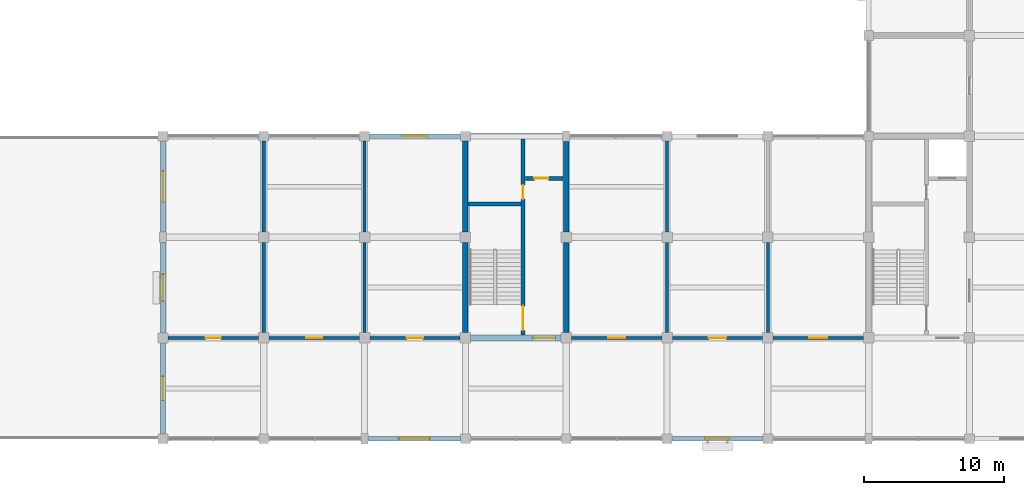
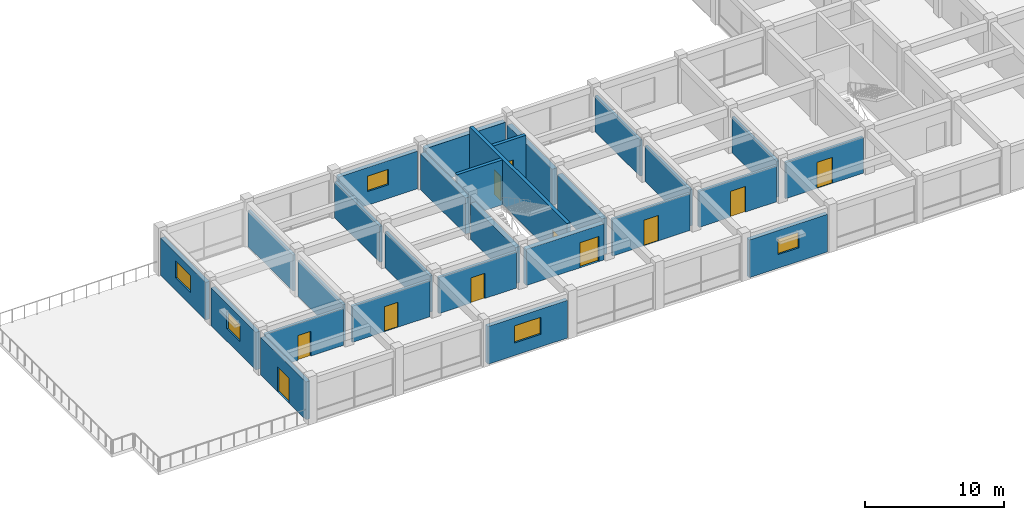
# One storey, part 19 of 31: 28 walls, 11 doors, 5 windows, 16 openings.
"""IFC4 building model written with IfcOpenShell, lengths in metres."""

from ifc_helpers import new_model, si_unit, direction, frame, frame_2d, origin, place, context, subcontext, project, spatial, rectangle, extrude, material, layer, layer_set, type_object, element, fill, save


model = new_model("IFC4")

# Units and contexts
model_context = context("Model", 3, precision=1e-05, world=origin(), true_north=direction((0.0, 1.0)))
body_context = subcontext(model_context, "Body", "Model", "MODEL_VIEW")
ifc_project = project(units=[si_unit("LENGTHUNIT", "METRE"), si_unit("AREAUNIT", "SQUARE_METRE"), si_unit("VOLUMEUNIT", "CUBIC_METRE"), si_unit("PLANEANGLEUNIT", "RADIAN"), si_unit("MASSUNIT", "GRAM", prefix="KILO")], contexts=[model_context])

# Site, building, storey
site_placement = place(None, origin())
site = spatial("IfcSite", under=ifc_project, at=site_placement, CompositionType="ELEMENT")
building_placement = place(site_placement, origin())
building = spatial("IfcBuilding", under=site, at=building_placement, Name="Cendaluz Park School", CompositionType="ELEMENT")
storey_placement = place(building_placement, frame((0.0, 0.0, 14.39990234375)))
storey = spatial("IfcBuildingStorey", under=building, at=storey_placement, Name="L03", CompositionType="ELEMENT", Elevation=14.39990234375)

# Wall, opening, door
ifc_material_1 = material(Name="Gypsum Plasterboard on Cold-Formed Stud", Category="gypsum")
ifc_layer_1 = layer(ifc_material_1, 0.199951171875)
ifc_layer_set_1 = layer_set([ifc_layer_1], Name="Gypsum Plasterboard on Cold-Formed Stud")
wall_type_1 = type_object("IfcWallType", Name="W-AC20", PredefinedType="PARTITIONING", material=ifc_layer_set_1)
wall_1_placement = place(storey_placement, frame((43.574951171875, 14.39990234375, 0.0), z_axis=(0.0, 0.0, 1.0), x_axis=(1.0, 0.0, 0.0)))
wall_1 = element("IfcWall", 1, at=wall_1_placement, inside=storey, type_object=wall_type_1, Name="WL-FD-BM3", PredefinedType="PARTITIONING", context=body_context, shape_type="SweptSolid", body=[
    extrude(rectangle(XDim=6.449951171875, YDim=0.199951171875, at=frame_2d((3.22509765625, 0.0))), origin(), (0.0, 0.0, 1.0), 3.239990234375),
])
opening_1_placement = place(wall_1_placement, frame((2.625, 0.0, 0.0)))
opening_1 = element("IfcOpeningElement", 2, at=opening_1_placement, cuts=wall_1, Name="Opening DCL-08", PredefinedType="OPENING", context=body_context, shape_type="SweptSolid", body=[
    extrude(rectangle(XDim=1.199951171875, YDim=2.239990234375, at=frame_2d((0.60009765625, 1.1201171875))), frame((0.0, 0.112060546875, 0.0), z_axis=(0.0, -1.0, 0.0), x_axis=(1.0, 0.0, 0.0)), (0.0, 0.0, 1.0), 0.223876953125),
])
ifc_material_2 = material(Name="Solid Core Hardwood", Category="wood")
door_type_1 = type_object("IfcDoorType", Name="DCL-08", OperationType="NOTDEFINED", PredefinedType="DOOR", material=ifc_material_2)
door_1_placement = place(opening_1_placement, origin())
door_1 = element("IfcDoor", 3, at=door_1_placement, inside=storey, type_object=door_type_1, Name="D-L03-032", OperationType="SINGLE_SWING_RIGHT", OverallHeight=2.239990234375, OverallWidth=1.199951171875, PredefinedType="DOOR", context=body_context, shape_type="SweptSolid", body=[
    extrude(rectangle(XDim=1.199951171875, YDim=2.239990234375, at=frame_2d((0.60009765625, 1.1201171875))), frame((0.0, 0.02490234375, 0.0), z_axis=(0.0, -1.0, 0.0), x_axis=(1.0, 0.0, 0.0)), (0.0, 0.0, 1.0), 0.050048828125),
])
fill(opening_1, door_1)

# Walls
wall_2_placement = place(storey_placement, frame((50.39990234375, 14.77490234375, 0.0), z_axis=(0.0, 0.0, 1.0), x_axis=(0.0, 1.0, 0.0)))
element("IfcWall", 4, at=wall_2_placement, inside=storey, type_object=wall_type_1, Name="WL-FD-BM4", PredefinedType="PARTITIONING", context=body_context, shape_type="SweptSolid", body=[
    extrude(rectangle(XDim=6.4501953125, YDim=0.199951171875, at=frame_2d((3.22509765625, 0.0))), origin(), (0.0, 0.0, 1.0), 3.170166015625),
])
wall_3_placement = place(storey_placement, frame((50.39990234375, 21.97509765625, 0.0), z_axis=(0.0, 0.0, 1.0), x_axis=(0.0, 1.0, 0.0)))
element("IfcWall", 5, at=wall_3_placement, inside=storey, type_object=wall_type_1, Name="WL-FD-BM5", PredefinedType="PARTITIONING", context=body_context, shape_type="SweptSolid", body=[
    extrude(rectangle(XDim=6.474853515625, YDim=0.199951171875, at=frame_2d((3.2373046875, 0.0))), origin(), (0.0, 0.0, 1.0), 3.170166015625),
])

# Wall, opening, door
wall_4_placement = place(storey_placement, frame((50.77490234375, 14.39990234375, 0.0), z_axis=(0.0, 0.0, 1.0), x_axis=(1.0, 0.0, 0.0)))
wall_4 = element("IfcWall", 6, at=wall_4_placement, inside=storey, type_object=wall_type_1, Name="WL-FD-BM6", PredefinedType="PARTITIONING", context=body_context, shape_type="SweptSolid", body=[
    extrude(rectangle(XDim=6.4501953125, YDim=0.199951171875, at=frame_2d((3.22509765625, 0.0))), origin(), (0.0, 0.0, 1.0), 3.170166015625),
])
opening_2_placement = place(wall_4_placement, frame((2.60498046875, 0.0, 0.0)))
opening_2 = element("IfcOpeningElement", 7, at=opening_2_placement, cuts=wall_4, Name="Opening DCL-09", PredefinedType="OPENING", context=body_context, shape_type="SweptSolid", body=[
    extrude(rectangle(XDim=1.239990234375, YDim=2.260009765625, at=frame_2d((0.6201171875, 1.1298828125))), frame((0.0, 0.112060546875, 0.0), z_axis=(0.0, -1.0, 0.0), x_axis=(1.0, 0.0, 0.0)), (0.0, 0.0, 1.0), 0.223876953125),
])
door_type_2 = type_object("IfcDoorType", Name="DCL-09", OperationType="NOTDEFINED", PredefinedType="DOOR", material=ifc_material_2)
door_2_placement = place(opening_2_placement, origin())
door_2 = element("IfcDoor", 8, at=door_2_placement, inside=storey, type_object=door_type_2, Name="D-L03-033", OperationType="SINGLE_SWING_LEFT", OverallHeight=2.260009765625, OverallWidth=1.239990234375, PredefinedType="DOOR", context=body_context, shape_type="SweptSolid", body=[
    extrude(rectangle(XDim=1.239990234375, YDim=2.260009765625, at=frame_2d((0.6201171875, 1.1298828125))), frame((0.0, 0.02490234375, 0.0), z_axis=(0.0, -1.0, 0.0), x_axis=(1.0, 0.0, 0.0)), (0.0, 0.0, 1.0), 0.050048828125),
])
fill(opening_2, door_2)

# Wall
wall_5_placement = place(storey_placement, frame((57.60009765625, 14.77490234375, 0.0), z_axis=(0.0, 0.0, 1.0), x_axis=(0.0, 1.0, 0.0)))
element("IfcWall", 9, at=wall_5_placement, inside=storey, type_object=wall_type_1, Name="WL-FD-BM7", PredefinedType="PARTITIONING", context=body_context, shape_type="SweptSolid", body=[
    extrude(rectangle(XDim=6.4501953125, YDim=0.199951171875, at=frame_2d((3.22509765625, 0.0))), origin(), (0.0, 0.0, 1.0), 3.170166015625),
])

# Wall, opening, door
wall_6_placement = place(storey_placement, frame((57.97509765625, 14.39990234375, 0.0), z_axis=(0.0, 0.0, 1.0), x_axis=(1.0, 0.0, 0.0)))
wall_6 = element("IfcWall", 10, at=wall_6_placement, inside=storey, type_object=wall_type_1, Name="WL-FD-BM9", PredefinedType="PARTITIONING", context=body_context, shape_type="SweptSolid", body=[
    extrude(rectangle(XDim=6.449951171875, YDim=0.199951171875, at=frame_2d((3.22509765625, 0.0))), origin(), (0.0, 0.0, 1.0), 3.170166015625),
])
opening_3_placement = place(wall_6_placement, frame((2.5849609375, 0.0, 0.0)))
opening_3 = element("IfcOpeningElement", 11, at=opening_3_placement, cuts=wall_6, Name="Opening DCL-10", PredefinedType="OPENING", context=body_context, shape_type="SweptSolid", body=[
    extrude(rectangle(XDim=1.280029296875, YDim=2.280029296875, at=frame_2d((0.64013671875, 1.14013671875))), frame((0.0, 0.112060546875, 0.0), z_axis=(0.0, -1.0, 0.0), x_axis=(1.0, 0.0, 0.0)), (0.0, 0.0, 1.0), 0.223876953125),
])
door_type_3 = type_object("IfcDoorType", Name="DCL-10", OperationType="NOTDEFINED", PredefinedType="DOOR", material=ifc_material_2)
door_3_placement = place(opening_3_placement, origin())
door_3 = element("IfcDoor", 12, at=door_3_placement, inside=storey, type_object=door_type_3, Name="D-L03-034", OperationType="SINGLE_SWING_RIGHT", OverallHeight=2.280029296875, OverallWidth=1.280029296875, PredefinedType="DOOR", context=body_context, shape_type="SweptSolid", body=[
    extrude(rectangle(XDim=1.280029296875, YDim=2.280029296875, at=frame_2d((0.64013671875, 1.14013671875))), frame((0.0, 0.02490234375, 0.0), z_axis=(0.0, -1.0, 0.0), x_axis=(1.0, 0.0, 0.0)), (0.0, 0.0, 1.0), 0.050048828125),
])
fill(opening_3, door_3)

ifc_material_3 = material(Name="Concrete C40/50 precast", Category="concrete")
ifc_layer_2 = layer(ifc_material_3, 0.340087890625)
ifc_layer_set_2 = layer_set([ifc_layer_2], Name="Concrete C40/50 precast")
wall_type_2 = type_object("IfcWallType", Name="W-EX34", PredefinedType="SOLIDWALL", material=ifc_layer_set_2)
wall_7_placement = place(storey_placement, frame((14.39990234375, 7.550048828125, 0.0), z_axis=(0.0, 0.0, 1.0), x_axis=(0.0, 1.0, 0.0)))
wall_7 = element("IfcWall", 13, at=wall_7_placement, inside=storey, type_object=wall_type_2, Name="WL-FD-AA0", PredefinedType="SOLIDWALL", context=body_context, shape_type="SweptSolid", body=[
    extrude(rectangle(XDim=6.5, YDim=0.340087890625, at=frame_2d((3.25, 0.0))), origin(), (0.0, 0.0, 1.0), 3.31005859375),
])
opening_4_placement = place(wall_7_placement, frame((2.39990234375, 0.0, 0.0)))
opening_4 = element("IfcOpeningElement", 14, at=opening_4_placement, cuts=wall_7, Name="Opening DPD-04", PredefinedType="OPENING", context=body_context, shape_type="SweptSolid", body=[
    extrude(rectangle(XDim=1.699951171875, YDim=2.199951171875, at=frame_2d((0.85009765625, 1.10009765625))), frame((0.0, 0.18212890625, 0.0), z_axis=(0.0, -1.0, 0.0), x_axis=(1.0, 0.0, 0.0)), (0.0, 0.0, 1.0), 0.364013671875),
])
ifc_material_4 = material(Name="Architectural Bronze")
door_type_4 = type_object("IfcDoorType", Name="DPD-04", OperationType="DOUBLE_DOOR_SINGLE_SWING", PredefinedType="DOOR", material=ifc_material_4)
door_4_placement = place(opening_4_placement, origin())
door_4 = element("IfcDoor", 15, at=door_4_placement, inside=storey, type_object=door_type_4, Name="D-L03-001", OperationType="DOUBLE_DOOR_SINGLE_SWING", OverallHeight=2.199951171875, OverallWidth=1.699951171875, PredefinedType="DOOR", context=body_context, shape_type="SweptSolid", body=[
    extrude(rectangle(XDim=1.699951171875, YDim=2.199951171875, at=frame_2d((0.85009765625, 1.10009765625))), frame((0.0, 0.02490234375, 0.0), z_axis=(0.0, -1.0, 0.0), x_axis=(1.0, 0.0, 0.0)), (0.0, 0.0, 1.0), 0.050048828125),
])
fill(opening_4, door_4)

# Wall, opening, window
wall_8_placement = place(storey_placement, frame((14.39990234375, 14.75, 0.0), z_axis=(0.0, 0.0, 1.0), x_axis=(0.0, 1.0, 0.0)))
wall_8 = element("IfcWall", 16, at=wall_8_placement, inside=storey, type_object=wall_type_2, Name="WL-FD-AA1", PredefinedType="SOLIDWALL", context=body_context, shape_type="SweptSolid", body=[
    extrude(rectangle(XDim=6.47509765625, YDim=0.340087890625, at=frame_2d((3.237548828125, 0.0))), origin(), (0.0, 0.0, 1.0), 3.31005859375),
])
opening_5_placement = place(wall_8_placement, frame((2.28759765625, 0.0, 1.10009765625)))
opening_5 = element("IfcOpeningElement", 17, at=opening_5_placement, cuts=wall_8, Name="Opening WN-17", PredefinedType="OPENING", context=body_context, shape_type="SweptSolid", body=[
    extrude(rectangle(XDim=1.89990234375, YDim=1.5, at=frame_2d((0.949951171875, 0.75))), frame((0.0, 0.18212890625, 0.0), z_axis=(0.0, -1.0, 0.0), x_axis=(1.0, 0.0, 0.0)), (0.0, 0.0, 1.0), 0.364013671875),
])
ifc_material_5 = material(Name="Tempered Low-E Double Glazing", Category="glass")
window_type_1 = type_object("IfcWindowType", Name="WN-17", PartitioningType="SINGLE_PANEL", PredefinedType="WINDOW", material=ifc_material_5)
window_1_placement = place(opening_5_placement, origin())
window_1 = element("IfcWindow", 18, at=window_1_placement, inside=storey, type_object=window_type_1, Name="WN-L03-001", OverallHeight=1.5, OverallWidth=1.89990234375, PartitioningType="SINGLE_PANEL", PredefinedType="WINDOW", context=body_context, shape_type="SweptSolid", body=[
    extrude(rectangle(XDim=1.89990234375, YDim=1.5, at=frame_2d((0.949951171875, 0.75))), frame((0.0, 0.030029296875, 0.0), z_axis=(0.0, -1.0, 0.0), x_axis=(1.0, 0.0, 0.0)), (0.0, 0.0, 1.0), 0.06005859375),
])
fill(opening_5, window_1)

wall_9_placement = place(storey_placement, frame((14.39990234375, 21.97509765625, 0.0), z_axis=(0.0, 0.0, 1.0), x_axis=(0.0, 1.0, 0.0)))
wall_9 = element("IfcWall", 19, at=wall_9_placement, inside=storey, type_object=wall_type_2, Name="WL-FD-AA2", PredefinedType="SOLIDWALL", context=body_context, shape_type="SweptSolid", body=[
    extrude(rectangle(XDim=6.474853515625, YDim=0.340087890625, at=frame_2d((3.2373046875, 0.0))), origin(), (0.0, 0.0, 1.0), 3.31005859375),
])
opening_6_placement = place(wall_9_placement, frame((2.137451171875, 0.0, 1.10009765625)))
opening_6 = element("IfcOpeningElement", 20, at=opening_6_placement, cuts=wall_9, Name="Opening WN-18", PredefinedType="OPENING", context=body_context, shape_type="SweptSolid", body=[
    extrude(rectangle(XDim=2.199951171875, YDim=1.5, at=frame_2d((1.10009765625, 0.75))), frame((0.0, 0.18212890625, 0.0), z_axis=(0.0, -1.0, 0.0), x_axis=(1.0, 0.0, 0.0)), (0.0, 0.0, 1.0), 0.364013671875),
])
window_type_2 = type_object("IfcWindowType", Name="WN-18", PartitioningType="SINGLE_PANEL", PredefinedType="WINDOW", material=ifc_material_5)
window_2_placement = place(opening_6_placement, origin())
window_2 = element("IfcWindow", 21, at=window_2_placement, inside=storey, type_object=window_type_2, Name="WN-L03-002", OverallHeight=1.5, OverallWidth=2.199951171875, PartitioningType="SINGLE_PANEL", PredefinedType="WINDOW", context=body_context, shape_type="SweptSolid", body=[
    extrude(rectangle(XDim=2.199951171875, YDim=1.5, at=frame_2d((1.10009765625, 0.75))), frame((0.0, 0.030029296875, 0.0), z_axis=(0.0, -1.0, 0.0), x_axis=(1.0, 0.0, 0.0)), (0.0, 0.0, 1.0), 0.06005859375),
])
fill(opening_6, window_2)

wall_10_placement = place(storey_placement, frame((29.050048828125, 7.199951171875, 0.0), z_axis=(0.0, 0.0, 1.0), x_axis=(1.0, 0.0, 0.0)))
wall_10 = element("IfcWall", 22, at=wall_10_placement, inside=storey, type_object=wall_type_2, Name="WL-FD-AA3", PredefinedType="SOLIDWALL", context=body_context, shape_type="SweptSolid", body=[
    extrude(rectangle(XDim=6.599853515625, YDim=0.340087890625, at=frame_2d((3.2998046875, 0.0))), origin(), (0.0, 0.0, 1.0), 3.31005859375),
])
opening_7_placement = place(wall_10_placement, frame((2.199951171875, 0.0, 1.10009765625)))
opening_7 = element("IfcOpeningElement", 23, at=opening_7_placement, cuts=wall_10, Name="Opening WN-18", PredefinedType="OPENING", context=body_context, shape_type="SweptSolid", body=[
    extrude(rectangle(XDim=2.199951171875, YDim=1.5, at=frame_2d((1.10009765625, 0.75))), frame((0.0, 0.18212890625, 0.0), z_axis=(0.0, -1.0, 0.0), x_axis=(1.0, 0.0, 0.0)), (0.0, 0.0, 1.0), 0.364013671875),
])
window_3_placement = place(opening_7_placement, origin())
window_3 = element("IfcWindow", 24, at=window_3_placement, inside=storey, type_object=window_type_2, Name="WN-L03-003", OverallHeight=1.5, OverallWidth=2.199951171875, PartitioningType="SINGLE_PANEL", PredefinedType="WINDOW", context=body_context, shape_type="SweptSolid", body=[
    extrude(rectangle(XDim=2.199951171875, YDim=1.5, at=frame_2d((1.10009765625, 0.75))), frame((0.0, 0.030029296875, 0.0), z_axis=(0.0, -1.0, 0.0), x_axis=(1.0, 0.0, 0.0)), (0.0, 0.0, 1.0), 0.06005859375),
])
fill(opening_7, window_3)

wall_11_placement = place(storey_placement, frame((29.14990234375, 28.800048828125, 0.0), z_axis=(0.0, 0.0, 1.0), x_axis=(1.0, 0.0, 0.0)))
wall_11 = element("IfcWall", 25, at=wall_11_placement, inside=storey, type_object=wall_type_2, Name="WL-FD-AA4", PredefinedType="SOLIDWALL", context=body_context, shape_type="SweptSolid", body=[
    extrude(rectangle(XDim=6.5, YDim=0.340087890625, at=frame_2d((3.25, 0.0))), origin(), (0.0, 0.0, 1.0), 3.31005859375),
])
opening_8_placement = place(wall_11_placement, frame((2.375, 0.0, 1.199951171875)))
opening_8 = element("IfcOpeningElement", 26, at=opening_8_placement, cuts=wall_11, Name="Opening WN-21", PredefinedType="OPENING", context=body_context, shape_type="SweptSolid", body=[
    extrude(rectangle(XDim=1.75, YDim=1.35009765625, at=frame_2d((0.875, 0.675048828125))), frame((0.0, 0.18212890625, 0.0), z_axis=(0.0, -1.0, 0.0), x_axis=(1.0, 0.0, 0.0)), (0.0, 0.0, 1.0), 0.364013671875),
])
window_type_3 = type_object("IfcWindowType", Name="WN-21", PartitioningType="SINGLE_PANEL", PredefinedType="WINDOW", material=ifc_material_5)
window_4_placement = place(opening_8_placement, origin())
window_4 = element("IfcWindow", 27, at=window_4_placement, inside=storey, type_object=window_type_3, Name="WN-L03-004", OverallHeight=1.35009765625, OverallWidth=1.75, PartitioningType="SINGLE_PANEL", PredefinedType="WINDOW", context=body_context, shape_type="SweptSolid", body=[
    extrude(rectangle(XDim=1.75, YDim=1.35009765625, at=frame_2d((0.875, 0.675048828125))), frame((0.0, 0.030029296875, 0.0), z_axis=(0.0, -1.0, 0.0), x_axis=(1.0, 0.0, 0.0)), (0.0, 0.0, 1.0), 0.06005859375),
])
fill(opening_8, window_4)

wall_12_placement = place(storey_placement, frame((50.75, 7.199951171875, 0.0), z_axis=(0.0, 0.0, 1.0), x_axis=(1.0, 0.0, 0.0)))
wall_12 = element("IfcWall", 28, at=wall_12_placement, inside=storey, type_object=wall_type_2, Name="WL-FD-AA5", PredefinedType="SOLIDWALL", context=body_context, shape_type="SweptSolid", body=[
    extrude(rectangle(XDim=6.5, YDim=0.340087890625, at=frame_2d((3.25, 0.0))), origin(), (0.0, 0.0, 1.0), 3.31005859375),
])
opening_9_placement = place(wall_12_placement, frame((2.375, 0.0, 1.199951171875)))
opening_9 = element("IfcOpeningElement", 29, at=opening_9_placement, cuts=wall_12, Name="Opening WN-21", PredefinedType="OPENING", context=body_context, shape_type="SweptSolid", body=[
    extrude(rectangle(XDim=1.75, YDim=1.35009765625, at=frame_2d((0.875, 0.675048828125))), frame((0.0, 0.18212890625, 0.0), z_axis=(0.0, -1.0, 0.0), x_axis=(1.0, 0.0, 0.0)), (0.0, 0.0, 1.0), 0.364013671875),
])
window_5_placement = place(opening_9_placement, origin())
window_5 = element("IfcWindow", 30, at=window_5_placement, inside=storey, type_object=window_type_3, Name="WN-L03-005", OverallHeight=1.35009765625, OverallWidth=1.75, PartitioningType="SINGLE_PANEL", PredefinedType="WINDOW", context=body_context, shape_type="SweptSolid", body=[
    extrude(rectangle(XDim=1.75, YDim=1.35009765625, at=frame_2d((0.875, 0.675048828125))), frame((0.0, 0.030029296875, 0.0), z_axis=(0.0, -1.0, 0.0), x_axis=(1.0, 0.0, 0.0)), (0.0, 0.0, 1.0), 0.06005859375),
])
fill(opening_9, window_5)

# Wall, openings, doors
ifc_material_6 = material(Name="Concrete C40/50", Category="concrete")
ifc_layer_3 = layer(ifc_material_6, 0.280029296875)
ifc_layer_set_3 = layer_set([ifc_layer_3], Name="Concrete C40/50")
wall_type_3 = type_object("IfcWallType", Name="W-FW28", PredefinedType="SHEAR", material=ifc_layer_set_3)
wall_13_placement = place(storey_placement, frame((40.1201171875, 14.60009765625, 0.0), z_axis=(0.0, 0.0, 1.0), x_axis=(0.0, 1.0, 0.0)))
wall_13 = element("IfcWall", 31, at=wall_13_placement, inside=storey, type_object=wall_type_3, Name="WL-FD-BK4", PredefinedType="SHEAR", context=body_context, shape_type="SweptSolid", body=[
    extrude(rectangle(XDim=14.0, YDim=0.280029296875, at=frame_2d((7.0, 0.0))), origin(), (0.0, 0.0, 1.0), 3.940185546875),
])
opening_10_placement = place(wall_13_placement, frame((0.35009765625, 0.0, 0.0)))
opening_10 = element("IfcOpeningElement", 32, at=opening_10_placement, cuts=wall_13, Name="Opening DST-03", PredefinedType="OPENING", context=body_context, shape_type="SweptSolid", body=[
    extrude(rectangle(XDim=1.75, YDim=2.14990234375, at=frame_2d((0.875, 1.074951171875))), frame((0.0, 0.152099609375, 0.0), z_axis=(0.0, -1.0, 0.0), x_axis=(1.0, 0.0, 0.0)), (0.0, 0.0, 1.0), 0.303955078125),
])
opening_11_placement = place(wall_13_placement, frame((9.719970703125, 0.0, 0.0)))
opening_11 = element("IfcOpeningElement", 33, at=opening_11_placement, cuts=wall_13, Name="Opening DFC-01", PredefinedType="OPENING", context=body_context, shape_type="SweptSolid", body=[
    extrude(rectangle(XDim=1.0, YDim=2.14990234375, at=frame_2d((0.5, 1.074951171875))), frame((0.0, 0.152099609375, 0.0), z_axis=(0.0, -1.0, 0.0), x_axis=(1.0, 0.0, 0.0)), (0.0, 0.0, 1.0), 0.303955078125),
])
door_type_5 = type_object("IfcDoorType", Name="DFC-01", OperationType="NOTDEFINED", PredefinedType="DOOR", material=ifc_material_2)
door_5_placement = place(opening_11_placement, origin())
door_5 = element("IfcDoor", 34, at=door_5_placement, inside=storey, type_object=door_type_5, Name="D-L03-023", OperationType="SINGLE_SWING_LEFT", OverallHeight=2.14990234375, OverallWidth=1.0, PredefinedType="DOOR", context=body_context, shape_type="SweptSolid", body=[
    extrude(rectangle(XDim=1.0, YDim=2.14990234375, at=frame_2d((0.5, 1.074951171875))), frame((0.0, 0.02490234375, 0.0), z_axis=(0.0, -1.0, 0.0), x_axis=(1.0, 0.0, 0.0)), (0.0, 0.0, 1.0), 0.050048828125),
])
fill(opening_11, door_5)
door_type_6 = type_object("IfcDoorType", Name="DST-03", OperationType="DOUBLE_DOOR_SINGLE_SWING", PredefinedType="DOOR", material=ifc_material_2)
door_6_placement = place(opening_10_placement, origin())
door_6 = element("IfcDoor", 35, at=door_6_placement, inside=storey, type_object=door_type_6, Name="D-L03-022", OperationType="DOUBLE_DOOR_SINGLE_SWING", OverallHeight=2.14990234375, OverallWidth=1.75, PredefinedType="DOOR", context=body_context, shape_type="SweptSolid", body=[
    extrude(rectangle(XDim=1.75, YDim=2.14990234375, at=frame_2d((0.875, 1.074951171875))), frame((0.0, 0.02490234375, 0.0), z_axis=(0.0, -1.0, 0.0), x_axis=(1.0, 0.0, 0.0)), (0.0, 0.0, 1.0), 0.050048828125),
])
fill(opening_10, door_6)

# Wall
wall_14_placement = place(storey_placement, frame((36.199951171875, 23.97998046875, 0.0), z_axis=(0.0, 0.0, 1.0), x_axis=(1.0, 0.0, 0.0)))
element("IfcWall", 36, at=wall_14_placement, inside=storey, type_object=wall_type_3, Name="WL-FD-BK5", PredefinedType="SHEAR", context=body_context, shape_type="SweptSolid", body=[
    extrude(rectangle(XDim=3.780029296875, YDim=0.280029296875, at=frame_2d((1.89013671875, 0.0))), origin(), (0.0, 0.0, 1.0), 3.940185546875),
])

# Wall, opening, door
wall_15_placement = place(storey_placement, frame((40.280029296875, 25.800048828125, 0.0), z_axis=(0.0, 0.0, 1.0), x_axis=(1.0, 0.0, 0.0)))
wall_15 = element("IfcWall", 37, at=wall_15_placement, inside=storey, type_object=wall_type_3, Name="WL-FD-BK6", PredefinedType="SHEAR", context=body_context, shape_type="SweptSolid", body=[
    extrude(rectangle(XDim=2.679931640625, YDim=0.280029296875, at=frame_2d((1.33984375, 0.0))), origin(), (0.0, 0.0, 1.0), 3.940185546875),
])
opening_12_placement = place(wall_15_placement, frame((0.64990234375, 0.0, 0.0)))
opening_12 = element("IfcOpeningElement", 38, at=opening_12_placement, cuts=wall_15, Name="Opening DFC-01", PredefinedType="OPENING", context=body_context, shape_type="SweptSolid", body=[
    extrude(rectangle(XDim=1.0, YDim=2.14990234375, at=frame_2d((0.5, 1.074951171875))), frame((0.0, 0.152099609375, 0.0), z_axis=(0.0, -1.0, 0.0), x_axis=(1.0, 0.0, 0.0)), (0.0, 0.0, 1.0), 0.303955078125),
])
door_7_placement = place(opening_12_placement, frame((1.0, 0.0, 0.0), z_axis=(0.0, 0.0, 1.0), x_axis=(-1.0, 0.0, 0.0)))
door_7 = element("IfcDoor", 39, at=door_7_placement, inside=storey, type_object=door_type_5, Name="D-L03-024", OperationType="SINGLE_SWING_RIGHT", OverallHeight=2.14990234375, OverallWidth=1.0, PredefinedType="DOOR", context=body_context, shape_type="SweptSolid", body=[
    extrude(rectangle(XDim=1.0, YDim=2.14990234375, at=frame_2d((0.5, 1.074951171875))), frame((0.0, 0.02490234375, 0.0), z_axis=(0.0, -1.0, 0.0), x_axis=(1.0, 0.0, 0.0)), (0.0, 0.0, 1.0), 0.050048828125),
])
fill(opening_12, door_7)

ifc_layer_4 = layer(ifc_material_1, 0.219970703125)
ifc_layer_set_4 = layer_set([ifc_layer_4], Name="Gypsum Plasterboard on Cold-Formed Stud")
wall_type_4 = type_object("IfcWallType", Name="W-LB22", PredefinedType="PARTITIONING", material=ifc_layer_set_4)
wall_16_placement = place(storey_placement, frame((14.75, 14.39990234375, 0.0), z_axis=(0.0, 0.0, 1.0), x_axis=(1.0, 0.0, 0.0)))
wall_16 = element("IfcWall", 40, at=wall_16_placement, inside=storey, type_object=wall_type_4, Name="WL-FD-BL6", PredefinedType="PARTITIONING", context=body_context, shape_type="SweptSolid", body=[
    extrude(rectangle(XDim=6.47509765625, YDim=0.219970703125, at=frame_2d((3.237548828125, 0.0))), origin(), (0.0, 0.0, 1.0), 3.239990234375),
])
opening_13_placement = place(wall_16_placement, frame((2.697509765625, 0.0, 0.0)))
opening_13 = element("IfcOpeningElement", 41, at=opening_13_placement, cuts=wall_16, Name="Opening DCL-05", PredefinedType="OPENING", context=body_context, shape_type="SweptSolid", body=[
    extrude(rectangle(XDim=1.080078125, YDim=2.179931640625, at=frame_2d((0.5400390625, 1.08984375))), frame((0.0, 0.1220703125, 0.0), z_axis=(0.0, -1.0, 0.0), x_axis=(1.0, 0.0, 0.0)), (0.0, 0.0, 1.0), 0.243896484375),
])
door_type_7 = type_object("IfcDoorType", Name="DCL-05", OperationType="NOTDEFINED", PredefinedType="DOOR", material=ifc_material_2)
door_8_placement = place(opening_13_placement, frame((1.080078125, 0.0, 0.0), z_axis=(0.0, 0.0, 1.0), x_axis=(-1.0, 0.0, 0.0)))
door_8 = element("IfcDoor", 42, at=door_8_placement, inside=storey, type_object=door_type_7, Name="D-L03-029", OperationType="SINGLE_SWING_LEFT", OverallHeight=2.179931640625, OverallWidth=1.080078125, PredefinedType="DOOR", context=body_context, shape_type="SweptSolid", body=[
    extrude(rectangle(XDim=1.080078125, YDim=2.179931640625, at=frame_2d((0.5400390625, 1.08984375))), frame((0.0, 0.02490234375, 0.0), z_axis=(0.0, -1.0, 0.0), x_axis=(1.0, 0.0, 0.0)), (0.0, 0.0, 1.0), 0.050048828125),
])
fill(opening_13, door_8)

# Walls
wall_17_placement = place(storey_placement, frame((21.60009765625, 14.77490234375, 0.0), z_axis=(0.0, 0.0, 1.0), x_axis=(0.0, 1.0, 0.0)))
element("IfcWall", 43, at=wall_17_placement, inside=storey, type_object=wall_type_4, Name="WL-FD-BL7", PredefinedType="PARTITIONING", context=body_context, shape_type="SweptSolid", body=[
    extrude(rectangle(XDim=6.4501953125, YDim=0.219970703125, at=frame_2d((3.22509765625, 0.0))), origin(), (0.0, 0.0, 1.0), 3.170166015625),
])
wall_18_placement = place(storey_placement, frame((21.60009765625, 21.97509765625, 0.0), z_axis=(0.0, 0.0, 1.0), x_axis=(0.0, 1.0, 0.0)))
element("IfcWall", 44, at=wall_18_placement, inside=storey, type_object=wall_type_4, Name="WL-FD-BL8", PredefinedType="PARTITIONING", context=body_context, shape_type="SweptSolid", body=[
    extrude(rectangle(XDim=6.474853515625, YDim=0.219970703125, at=frame_2d((3.2373046875, 0.0))), origin(), (0.0, 0.0, 1.0), 3.170166015625),
])

# Wall, opening, door
wall_19_placement = place(storey_placement, frame((21.97509765625, 14.39990234375, 0.0), z_axis=(0.0, 0.0, 1.0), x_axis=(1.0, 0.0, 0.0)))
wall_19 = element("IfcWall", 45, at=wall_19_placement, inside=storey, type_object=wall_type_4, Name="WL-FD-BL9", PredefinedType="PARTITIONING", context=body_context, shape_type="SweptSolid", body=[
    extrude(rectangle(XDim=6.449951171875, YDim=0.219970703125, at=frame_2d((3.22509765625, 0.0))), origin(), (0.0, 0.0, 1.0), 3.170166015625),
])
opening_14_placement = place(wall_19_placement, frame((2.6650390625, 0.0, 0.0)))
opening_14 = element("IfcOpeningElement", 46, at=opening_14_placement, cuts=wall_19, Name="Opening DCL-06", PredefinedType="OPENING", context=body_context, shape_type="SweptSolid", body=[
    extrude(rectangle(XDim=1.1201171875, YDim=2.199951171875, at=frame_2d((0.56005859375, 1.10009765625))), frame((0.0, 0.1220703125, 0.0), z_axis=(0.0, -1.0, 0.0), x_axis=(1.0, 0.0, 0.0)), (0.0, 0.0, 1.0), 0.243896484375),
])
door_type_8 = type_object("IfcDoorType", Name="DCL-06", OperationType="NOTDEFINED", PredefinedType="DOOR", material=ifc_material_2)
door_9_placement = place(opening_14_placement, frame((1.1201171875, 0.0, 0.0), z_axis=(0.0, 0.0, 1.0), x_axis=(-1.0, 0.0, 0.0)))
door_9 = element("IfcDoor", 47, at=door_9_placement, inside=storey, type_object=door_type_8, Name="D-L03-030", OperationType="SINGLE_SWING_RIGHT", OverallHeight=2.199951171875, OverallWidth=1.1201171875, PredefinedType="DOOR", context=body_context, shape_type="SweptSolid", body=[
    extrude(rectangle(XDim=1.1201171875, YDim=2.199951171875, at=frame_2d((0.56005859375, 1.10009765625))), frame((0.0, 0.02490234375, 0.0), z_axis=(0.0, -1.0, 0.0), x_axis=(1.0, 0.0, 0.0)), (0.0, 0.0, 1.0), 0.050048828125),
])
fill(opening_14, door_9)

# Walls
wall_20_placement = place(storey_placement, frame((28.800048828125, 14.77490234375, 0.0), z_axis=(0.0, 0.0, 1.0), x_axis=(0.0, 1.0, 0.0)))
element("IfcWall", 48, at=wall_20_placement, inside=storey, type_object=wall_type_4, Name="WL-FD-BM0", PredefinedType="PARTITIONING", context=body_context, shape_type="SweptSolid", body=[
    extrude(rectangle(XDim=6.4501953125, YDim=0.219970703125, at=frame_2d((3.22509765625, 0.0))), origin(), (0.0, 0.0, 1.0), 3.170166015625),
])
wall_21_placement = place(storey_placement, frame((28.800048828125, 21.97509765625, 0.0), z_axis=(0.0, 0.0, 1.0), x_axis=(0.0, 1.0, 0.0)))
element("IfcWall", 49, at=wall_21_placement, inside=storey, type_object=wall_type_4, Name="WL-FD-BM1", PredefinedType="PARTITIONING", context=body_context, shape_type="SweptSolid", body=[
    extrude(rectangle(XDim=6.474853515625, YDim=0.219970703125, at=frame_2d((3.2373046875, 0.0))), origin(), (0.0, 0.0, 1.0), 3.170166015625),
])

# Wall, opening, door
wall_22_placement = place(storey_placement, frame((29.175048828125, 14.39990234375, 0.0), z_axis=(0.0, 0.0, 1.0), x_axis=(1.0, 0.0, 0.0)))
wall_22 = element("IfcWall", 50, at=wall_22_placement, inside=storey, type_object=wall_type_4, Name="WL-FD-BM2", PredefinedType="PARTITIONING", context=body_context, shape_type="SweptSolid", body=[
    extrude(rectangle(XDim=6.449951171875, YDim=0.219970703125, at=frame_2d((3.22509765625, 0.0))), origin(), (0.0, 0.0, 1.0), 3.170166015625),
])
opening_15_placement = place(wall_22_placement, frame((2.64501953125, 0.0, 0.0)))
opening_15 = element("IfcOpeningElement", 51, at=opening_15_placement, cuts=wall_22, Name="Opening DCL-07", PredefinedType="OPENING", context=body_context, shape_type="SweptSolid", body=[
    extrude(rectangle(XDim=1.159912109375, YDim=2.219970703125, at=frame_2d((0.580078125, 1.10986328125))), frame((0.0, 0.1220703125, 0.0), z_axis=(0.0, -1.0, 0.0), x_axis=(1.0, 0.0, 0.0)), (0.0, 0.0, 1.0), 0.243896484375),
])
door_type_9 = type_object("IfcDoorType", Name="DCL-07", OperationType="NOTDEFINED", PredefinedType="DOOR", material=ifc_material_2)
door_10_placement = place(opening_15_placement, frame((1.159912109375, 0.0, 0.0), z_axis=(0.0, 0.0, 1.0), x_axis=(-1.0, 0.0, 0.0)))
door_10 = element("IfcDoor", 52, at=door_10_placement, inside=storey, type_object=door_type_9, Name="D-L03-031", OperationType="SINGLE_SWING_LEFT", OverallHeight=2.219970703125, OverallWidth=1.159912109375, PredefinedType="DOOR", context=body_context, shape_type="SweptSolid", body=[
    extrude(rectangle(XDim=1.159912109375, YDim=2.219970703125, at=frame_2d((0.580078125, 1.10986328125))), frame((0.0, 0.02490234375, 0.0), z_axis=(0.0, -1.0, 0.0), x_axis=(1.0, 0.0, 0.0)), (0.0, 0.0, 1.0), 0.050048828125),
])
fill(opening_15, door_10)

# Walls
ifc_layer_5 = layer(ifc_material_6, 0.39990234375)
ifc_layer_set_5 = layer_set([ifc_layer_5], Name="Concrete C40/50")
wall_type_5 = type_object("IfcWallType", Name="W-SH40", PredefinedType="SHEAR", material=ifc_layer_set_5)
wall_23_placement = place(storey_placement, frame((36.0, 14.77490234375, 0.0), z_axis=(0.0, 0.0, 1.0), x_axis=(0.0, 1.0, 0.0)))
element("IfcWall", 53, at=wall_23_placement, inside=storey, type_object=wall_type_5, Name="WL-FD-BJ8", PredefinedType="SHEAR", context=body_context, shape_type="SweptSolid", body=[
    extrude(rectangle(XDim=6.4501953125, YDim=0.39990234375, at=frame_2d((3.22509765625, 0.0))), origin(), (0.0, 0.0, 1.0), 3.170166015625),
])
wall_24_placement = place(storey_placement, frame((36.0, 21.97509765625, 0.0), z_axis=(0.0, 0.0, 1.0), x_axis=(0.0, 1.0, 0.0)))
element("IfcWall", 54, at=wall_24_placement, inside=storey, type_object=wall_type_5, Name="WL-FD-BJ9", PredefinedType="SHEAR", context=body_context, shape_type="SweptSolid", body=[
    extrude(rectangle(XDim=6.474853515625, YDim=0.39990234375, at=frame_2d((3.2373046875, 0.0))), origin(), (0.0, 0.0, 1.0), 3.170166015625),
])
wall_25_placement = place(storey_placement, frame((43.199951171875, 14.77490234375, 0.0), z_axis=(0.0, 0.0, 1.0), x_axis=(0.0, 1.0, 0.0)))
element("IfcWall", 55, at=wall_25_placement, inside=storey, type_object=wall_type_5, Name="WL-FD-BK0", PredefinedType="SHEAR", context=body_context, shape_type="SweptSolid", body=[
    extrude(rectangle(XDim=6.4501953125, YDim=0.39990234375, at=frame_2d((3.22509765625, 0.0))), origin(), (0.0, 0.0, 1.0), 3.170166015625),
])
wall_26_placement = place(storey_placement, frame((43.199951171875, 21.97509765625, 0.0), z_axis=(0.0, 0.0, 1.0), x_axis=(0.0, 1.0, 0.0)))
element("IfcWall", 56, at=wall_26_placement, inside=storey, type_object=wall_type_5, Name="WL-FD-BK1", PredefinedType="SHEAR", context=body_context, shape_type="SweptSolid", body=[
    extrude(rectangle(XDim=6.449951171875, YDim=0.39990234375, at=frame_2d((3.22509765625, 0.0))), origin(), (0.0, 0.0, 1.0), 3.170166015625),
])

# Wall, opening, door
wall_27_placement = place(storey_placement, frame((36.375, 14.39990234375, 0.0), z_axis=(0.0, 0.0, 1.0), x_axis=(1.0, 0.0, 0.0)))
wall_27 = element("IfcWall", 57, at=wall_27_placement, inside=storey, type_object=wall_type_5, Name="WL-FD-BK2", PredefinedType="SHEAR", context=body_context, shape_type="SweptSolid", body=[
    extrude(rectangle(XDim=6.449951171875, YDim=0.39990234375, at=frame_2d((3.22509765625, 0.0))), origin(), (0.0, 0.0, 1.0), 3.170166015625),
])
opening_16_placement = place(wall_27_placement, frame((4.445068359375, 0.0, 0.0)))
opening_16 = element("IfcOpeningElement", 58, at=opening_16_placement, cuts=wall_27, Name="Opening DLB-01", PredefinedType="OPENING", context=body_context, shape_type="SweptSolid", body=[
    extrude(rectangle(XDim=1.60009765625, YDim=2.199951171875, at=frame_2d((0.800048828125, 1.10009765625))), frame((0.0, 0.2119140625, 0.0), z_axis=(0.0, -1.0, 0.0), x_axis=(1.0, 0.0, 0.0)), (0.0, 0.0, 1.0), 0.423828125),
])
door_type_10 = type_object("IfcDoorType", Name="DLB-01", OperationType="DOUBLE_DOOR_SINGLE_SWING", PredefinedType="DOOR", material=ifc_material_2)
door_11_placement = place(opening_16_placement, origin())
door_11 = element("IfcDoor", 59, at=door_11_placement, inside=storey, type_object=door_type_10, Name="D-L03-021", OperationType="DOUBLE_DOOR_SINGLE_SWING", OverallHeight=2.199951171875, OverallWidth=1.60009765625, PredefinedType="DOOR", context=body_context, shape_type="SweptSolid", body=[
    extrude(rectangle(XDim=1.60009765625, YDim=2.199951171875, at=frame_2d((0.800048828125, 1.10009765625))), frame((0.0, 0.02490234375, 0.0), z_axis=(0.0, -1.0, 0.0), x_axis=(1.0, 0.0, 0.0)), (0.0, 0.0, 1.0), 0.050048828125),
])
fill(opening_16, door_11)

# Wall
wall_28_placement = place(storey_placement, frame((36.35009765625, 28.800048828125, 0.0), z_axis=(0.0, 0.0, 1.0), x_axis=(1.0, 0.0, 0.0)))
element("IfcWall", 60, at=wall_28_placement, inside=storey, type_object=wall_type_5, Name="WL-FD-BK3", PredefinedType="SHEAR", context=body_context, shape_type="SweptSolid", body=[
    extrude(rectangle(XDim=6.599853515625, YDim=0.39990234375, at=frame_2d((3.2998046875, 0.0))), origin(), (0.0, 0.0, 1.0), 3.31005859375),
])

save(model, "model.ifc")
